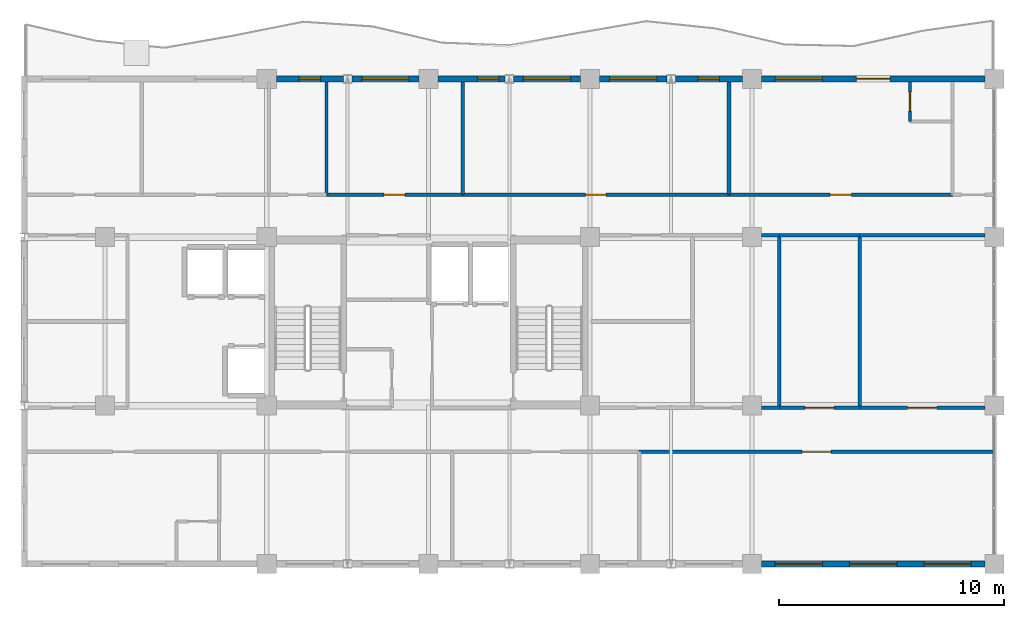
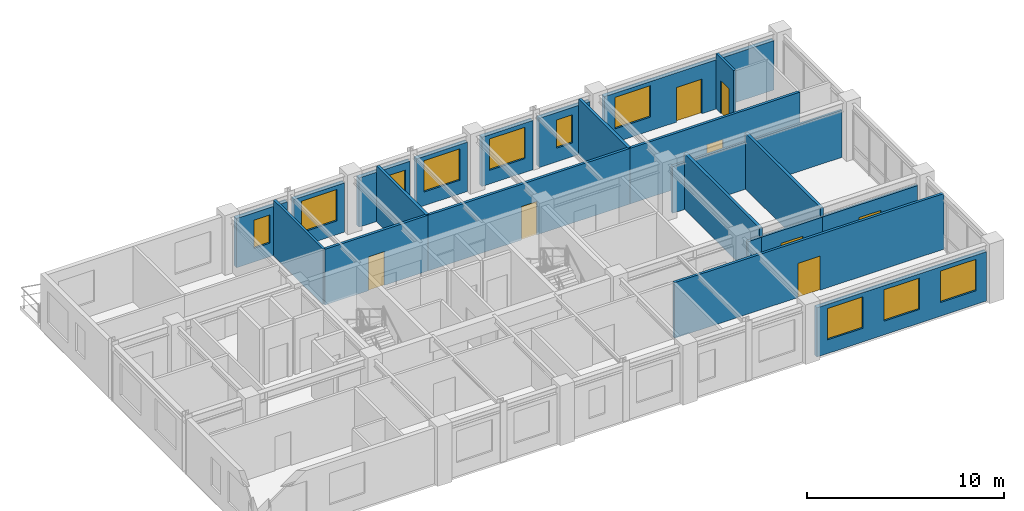
# One storey, part 8 of 11: 24 walls, 10 windows, 8 doors, 18 openings.
"""IFC4 building model written with IfcOpenShell, lengths in metres."""

from ifc_helpers import new_model, si_unit, direction, frame, frame_2d, origin, place, context, subcontext, project, spatial, rectangle, extrude, material, layer, layer_set, type_object, element, fill, save


model = new_model("IFC4")

# Units and contexts
model_context = context("Model", 3, precision=1e-05, world=origin(), true_north=direction((0.0, 1.0)))
body_context = subcontext(model_context, "Body", "Model", "MODEL_VIEW")
ifc_project = project(units=[si_unit("LENGTHUNIT", "METRE"), si_unit("AREAUNIT", "SQUARE_METRE"), si_unit("VOLUMEUNIT", "CUBIC_METRE"), si_unit("PLANEANGLEUNIT", "RADIAN"), si_unit("MASSUNIT", "GRAM", prefix="KILO")], contexts=[model_context])

# Site, building, storey
site_placement = place(None, origin())
site = spatial("IfcSite", under=ifc_project, at=site_placement, CompositionType="ELEMENT")
building_placement = place(site_placement, origin())
building = spatial("IfcBuilding", under=site, at=building_placement, Name="Kaliganga Portal Commons", CompositionType="ELEMENT")
storey_placement = place(building_placement, frame((0.0, 0.0, 253.60009765625)))
storey = spatial("IfcBuildingStorey", under=building, at=storey_placement, Name="L65", CompositionType="ELEMENT", Elevation=253.60009765625)

# Wall, openings, windows
ifc_material_1 = material(Name="Insulated Aluminium-Clad Spandrel Assembly", Category="aluminium")
ifc_layer_1 = layer(ifc_material_1, 0.260009765625)
ifc_layer_set_1 = layer_set([ifc_layer_1], Name="Insulated Aluminium-Clad Spandrel Assembly")
wall_type_1 = type_object("IfcWallType", Name="WL-EXT-SPAND-260", PredefinedType="STANDARD", material=ifc_layer_set_1)
wall_1_placement = place(storey_placement, frame((46.3740234375, 21.60009765625, 0.0), z_axis=(0.0, 0.0, 1.0), x_axis=(-1.0, 0.0, 0.0)))
wall_1 = element("IfcWall", 1, at=wall_1_placement, inside=storey, type_object=wall_type_1, Name="Exterior Envelope Wall L65 P1-E00-S8", PredefinedType="STANDARD", context=body_context, shape_type="SweptSolid", body=[
    extrude(rectangle(XDim=9.947998046875, YDim=0.260009765625, at=frame_2d((4.97412109375, 0.0))), origin(), (0.0, 0.0, 1.0), 3.054931640625),
])
opening_1_placement = place(wall_1_placement, frame((0.60791015625, 0.0, 0.85009765625)))
opening_1 = element("IfcOpeningElement", 2, at=opening_1_placement, cuts=wall_1, Name="Opening W-06", PredefinedType="OPENING", context=body_context, shape_type="SweptSolid", body=[
    extrude(rectangle(XDim=2.10009765625, YDim=1.949951171875, at=frame_2d((1.050048828125, 0.97509765625))), frame((0.0, 0.14013671875, 0.0), z_axis=(0.0, -1.0, 0.0), x_axis=(1.0, 0.0, 0.0)), (0.0, 0.0, 1.0), 0.280029296875),
])
opening_2_placement = place(wall_1_placement, frame((3.924072265625, 0.0, 0.85009765625)))
opening_2 = element("IfcOpeningElement", 3, at=opening_2_placement, cuts=wall_1, Name="Opening W-06", PredefinedType="OPENING", context=body_context, shape_type="SweptSolid", body=[
    extrude(rectangle(XDim=2.10009765625, YDim=1.949951171875, at=frame_2d((1.050048828125, 0.97509765625))), frame((0.0, 0.14013671875, 0.0), z_axis=(0.0, -1.0, 0.0), x_axis=(1.0, 0.0, 0.0)), (0.0, 0.0, 1.0), 0.280029296875),
])
opening_3_placement = place(wall_1_placement, frame((7.239990234375, 0.0, 0.85009765625)))
opening_3 = element("IfcOpeningElement", 4, at=opening_3_placement, cuts=wall_1, Name="Opening W-06", PredefinedType="OPENING", context=body_context, shape_type="SweptSolid", body=[
    extrude(rectangle(XDim=2.10009765625, YDim=1.949951171875, at=frame_2d((1.050048828125, 0.97509765625))), frame((0.0, 0.14013671875, 0.0), z_axis=(0.0, -1.0, 0.0), x_axis=(1.0, 0.0, 0.0)), (0.0, 0.0, 1.0), 0.280029296875),
])
ifc_material_2 = material(Name="Thermally Broken Aluminium and Low-E Double Glazing", Category="aluminium")
window_type_1 = type_object("IfcWindowType", Name="WIN-PAN-2100", PartitioningType="DOUBLE_PANEL_VERTICAL", PredefinedType="WINDOW", material=ifc_material_2)
window_1_placement = place(opening_1_placement, origin())
window_1 = element("IfcWindow", 5, at=window_1_placement, inside=storey, type_object=window_type_1, Name="Facade Window L65-P1E00S8-00", OverallHeight=1.949951171875, OverallWidth=2.10009765625, PartitioningType="SINGLE_PANEL", PredefinedType="WINDOW", context=body_context, shape_type="SweptSolid", body=[
    extrude(rectangle(XDim=2.10009765625, YDim=1.949951171875, at=frame_2d((1.050048828125, 0.97509765625))), frame((0.0, 0.030029296875, 0.0), z_axis=(0.0, -1.0, 0.0), x_axis=(1.0, 0.0, 0.0)), (0.0, 0.0, 1.0), 0.06005859375),
])
fill(opening_1, window_1)
window_2_placement = place(opening_2_placement, origin())
window_2 = element("IfcWindow", 6, at=window_2_placement, inside=storey, type_object=window_type_1, Name="Facade Window L65-P1E00S8-01", OverallHeight=1.949951171875, OverallWidth=2.10009765625, PartitioningType="SINGLE_PANEL", PredefinedType="WINDOW", context=body_context, shape_type="SweptSolid", body=[
    extrude(rectangle(XDim=2.10009765625, YDim=1.949951171875, at=frame_2d((1.050048828125, 0.97509765625))), frame((0.0, 0.030029296875, 0.0), z_axis=(0.0, -1.0, 0.0), x_axis=(1.0, 0.0, 0.0)), (0.0, 0.0, 1.0), 0.06005859375),
])
fill(opening_2, window_2)
window_3_placement = place(opening_3_placement, origin())
window_3 = element("IfcWindow", 7, at=window_3_placement, inside=storey, type_object=window_type_1, Name="Facade Window L65-P1E00S8-02", OverallHeight=1.949951171875, OverallWidth=2.10009765625, PartitioningType="SINGLE_PANEL", PredefinedType="WINDOW", context=body_context, shape_type="SweptSolid", body=[
    extrude(rectangle(XDim=2.10009765625, YDim=1.949951171875, at=frame_2d((1.050048828125, 0.97509765625))), frame((0.0, 0.030029296875, 0.0), z_axis=(0.0, -1.0, 0.0), x_axis=(1.0, 0.0, 0.0)), (0.0, 0.0, 1.0), 0.06005859375),
])
fill(opening_3, window_3)

# Wall, openings, door, window
wall_2_placement = place(storey_placement, frame((36.426025390625, 43.199951171875, 0.0), z_axis=(0.0, 0.0, 1.0), x_axis=(1.0, 0.0, 0.0)))
wall_2 = element("IfcWall", 8, at=wall_2_placement, inside=storey, type_object=wall_type_1, Name="Exterior Envelope Wall L65 P1-E02-S1", PredefinedType="STANDARD", context=body_context, shape_type="SweptSolid", body=[
    extrude(rectangle(XDim=9.947998046875, YDim=0.260009765625, at=frame_2d((4.97412109375, 0.0))), origin(), (0.0, 0.0, 1.0), 3.054931640625),
])
opening_4_placement = place(wall_2_placement, frame((4.22412109375, 0.0, 0.0)))
opening_4 = element("IfcOpeningElement", 9, at=opening_4_placement, cuts=wall_2, Name="Opening BD-01", PredefinedType="OPENING", context=body_context, shape_type="SweptSolid", body=[
    extrude(rectangle(XDim=1.5, YDim=2.14990234375, at=frame_2d((0.75, 1.074951171875))), frame((0.0, 0.14013671875, 0.0), z_axis=(0.0, -1.0, 0.0), x_axis=(1.0, 0.0, 0.0)), (0.0, 0.0, 1.0), 0.280029296875),
])
opening_5_placement = place(wall_2_placement, frame((0.60791015625, 0.0, 0.85009765625)))
opening_5 = element("IfcOpeningElement", 10, at=opening_5_placement, cuts=wall_2, Name="Opening W-06", PredefinedType="OPENING", context=body_context, shape_type="SweptSolid", body=[
    extrude(rectangle(XDim=2.10009765625, YDim=1.949951171875, at=frame_2d((1.050048828125, 0.97509765625))), frame((0.0, 0.14013671875, 0.0), z_axis=(0.0, -1.0, 0.0), x_axis=(1.0, 0.0, 0.0)), (0.0, 0.0, 1.0), 0.280029296875),
])
ifc_material_3 = material(Name="Anodized Aluminium and Laminated Safety Glass", Category="aluminium")
door_type_1 = type_object("IfcDoorType", Name="DR-BALC-1500", OperationType="SLIDING_TO_LEFT", PredefinedType="DOOR", material=ifc_material_3)
door_1_placement = place(opening_4_placement, origin())
door_1 = element("IfcDoor", 11, at=door_1_placement, inside=storey, type_object=door_type_1, Name="Balcony Sliding Door L65 balc_north", OperationType="SLIDING_TO_LEFT", OverallHeight=2.14990234375, OverallWidth=1.5, PredefinedType="DOOR", context=body_context, shape_type="SweptSolid", body=[
    extrude(rectangle(XDim=1.5, YDim=2.14990234375, at=frame_2d((0.75, 1.074951171875))), frame((0.0, 0.02490234375, 0.0), z_axis=(0.0, -1.0, 0.0), x_axis=(1.0, 0.0, 0.0)), (0.0, 0.0, 1.0), 0.050048828125),
])
fill(opening_4, door_1)
window_4_placement = place(opening_5_placement, origin())
window_4 = element("IfcWindow", 12, at=window_4_placement, inside=storey, type_object=window_type_1, Name="Facade Window L65-P1E02S1-00", OverallHeight=1.949951171875, OverallWidth=2.10009765625, PartitioningType="SINGLE_PANEL", PredefinedType="WINDOW", context=body_context, shape_type="SweptSolid", body=[
    extrude(rectangle(XDim=2.10009765625, YDim=1.949951171875, at=frame_2d((1.050048828125, 0.97509765625))), frame((0.0, 0.030029296875, 0.0), z_axis=(0.0, -1.0, 0.0), x_axis=(1.0, 0.0, 0.0)), (0.0, 0.0, 1.0), 0.06005859375),
])
fill(opening_5, window_4)

# Wall, opening, window
wall_3_placement = place(storey_placement, frame((32.587890625, 43.199951171875, 0.0), z_axis=(0.0, 0.0, 1.0), x_axis=(1.0, 0.0, 0.0)))
wall_3 = element("IfcWall", 13, at=wall_3_placement, inside=storey, type_object=wall_type_1, Name="Exterior Envelope Wall L65 P1-E02-S2", PredefinedType="STANDARD", context=body_context, shape_type="SweptSolid", body=[
    extrude(rectangle(XDim=2.986083984375, YDim=0.260009765625, at=frame_2d((1.4931640625, 0.0))), origin(), (0.0, 0.0, 1.0), 3.054931640625),
])
opening_6_placement = place(wall_3_placement, frame((1.01806640625, 0.0, 0.85009765625)))
opening_6 = element("IfcOpeningElement", 14, at=opening_6_placement, cuts=wall_3, Name="Opening W-04", PredefinedType="OPENING", context=body_context, shape_type="SweptSolid", body=[
    extrude(rectangle(XDim=0.949951171875, YDim=1.75, at=frame_2d((0.47509765625, 0.875))), frame((0.0, 0.14013671875, 0.0), z_axis=(0.0, -1.0, 0.0), x_axis=(1.0, 0.0, 0.0)), (0.0, 0.0, 1.0), 0.280029296875),
])
window_type_2 = type_object("IfcWindowType", Name="WIN-NARROW-950", PartitioningType="SINGLE_PANEL", PredefinedType="WINDOW", material=ifc_material_2)
window_5_placement = place(opening_6_placement, origin())
window_5 = element("IfcWindow", 15, at=window_5_placement, inside=storey, type_object=window_type_2, Name="Facade Window L65-P1E02S2-N0", OverallHeight=1.75, OverallWidth=0.949951171875, PartitioningType="SINGLE_PANEL", PredefinedType="WINDOW", context=body_context, shape_type="SweptSolid", body=[
    extrude(rectangle(XDim=0.949951171875, YDim=1.75, at=frame_2d((0.47509765625, 0.875))), frame((0.0, 0.030029296875, 0.0), z_axis=(0.0, -1.0, 0.0), x_axis=(1.0, 0.0, 0.0)), (0.0, 0.0, 1.0), 0.06005859375),
])
fill(opening_6, window_5)

wall_4_placement = place(storey_placement, frame((29.22607421875, 43.199951171875, 0.0), z_axis=(0.0, 0.0, 1.0), x_axis=(1.0, 0.0, 0.0)))
wall_4 = element("IfcWall", 16, at=wall_4_placement, inside=storey, type_object=wall_type_1, Name="Exterior Envelope Wall L65 P1-E02-S3", PredefinedType="STANDARD", context=body_context, shape_type="SweptSolid", body=[
    extrude(rectangle(XDim=2.98583984375, YDim=0.260009765625, at=frame_2d((1.492919921875, 0.0))), origin(), (0.0, 0.0, 1.0), 3.054931640625),
])
opening_7_placement = place(wall_4_placement, frame((0.443115234375, 0.0, 0.85009765625)))
opening_7 = element("IfcOpeningElement", 17, at=opening_7_placement, cuts=wall_4, Name="Opening W-06", PredefinedType="OPENING", context=body_context, shape_type="SweptSolid", body=[
    extrude(rectangle(XDim=2.10009765625, YDim=1.949951171875, at=frame_2d((1.050048828125, 0.97509765625))), frame((0.0, 0.14013671875, 0.0), z_axis=(0.0, -1.0, 0.0), x_axis=(1.0, 0.0, 0.0)), (0.0, 0.0, 1.0), 0.280029296875),
])
window_6_placement = place(opening_7_placement, origin())
window_6 = element("IfcWindow", 18, at=window_6_placement, inside=storey, type_object=window_type_1, Name="Facade Window L65-P1E02S3-00", OverallHeight=1.949951171875, OverallWidth=2.10009765625, PartitioningType="SINGLE_PANEL", PredefinedType="WINDOW", context=body_context, shape_type="SweptSolid", body=[
    extrude(rectangle(XDim=2.10009765625, YDim=1.949951171875, at=frame_2d((1.050048828125, 0.97509765625))), frame((0.0, 0.030029296875, 0.0), z_axis=(0.0, -1.0, 0.0), x_axis=(1.0, 0.0, 0.0)), (0.0, 0.0, 1.0), 0.06005859375),
])
fill(opening_7, window_6)

wall_5_placement = place(storey_placement, frame((25.387939453125, 43.199951171875, 0.0), z_axis=(0.0, 0.0, 1.0), x_axis=(1.0, 0.0, 0.0)))
wall_5 = element("IfcWall", 19, at=wall_5_placement, inside=storey, type_object=wall_type_1, Name="Exterior Envelope Wall L65 P1-E02-S4", PredefinedType="STANDARD", context=body_context, shape_type="SweptSolid", body=[
    extrude(rectangle(XDim=2.986083984375, YDim=0.260009765625, at=frame_2d((1.4931640625, 0.0))), origin(), (0.0, 0.0, 1.0), 3.054931640625),
])
opening_8_placement = place(wall_5_placement, frame((0.443115234375, 0.0, 0.85009765625)))
opening_8 = element("IfcOpeningElement", 20, at=opening_8_placement, cuts=wall_5, Name="Opening W-06", PredefinedType="OPENING", context=body_context, shape_type="SweptSolid", body=[
    extrude(rectangle(XDim=2.10009765625, YDim=1.949951171875, at=frame_2d((1.050048828125, 0.97509765625))), frame((0.0, 0.14013671875, 0.0), z_axis=(0.0, -1.0, 0.0), x_axis=(1.0, 0.0, 0.0)), (0.0, 0.0, 1.0), 0.280029296875),
])
window_7_placement = place(opening_8_placement, origin())
window_7 = element("IfcWindow", 21, at=window_7_placement, inside=storey, type_object=window_type_1, Name="Facade Window L65-P1E02S4-00", OverallHeight=1.949951171875, OverallWidth=2.10009765625, PartitioningType="SINGLE_PANEL", PredefinedType="WINDOW", context=body_context, shape_type="SweptSolid", body=[
    extrude(rectangle(XDim=2.10009765625, YDim=1.949951171875, at=frame_2d((1.050048828125, 0.97509765625))), frame((0.0, 0.030029296875, 0.0), z_axis=(0.0, -1.0, 0.0), x_axis=(1.0, 0.0, 0.0)), (0.0, 0.0, 1.0), 0.06005859375),
])
fill(opening_8, window_7)

wall_6_placement = place(storey_placement, frame((22.02587890625, 43.199951171875, 0.0), z_axis=(0.0, 0.0, 1.0), x_axis=(1.0, 0.0, 0.0)))
wall_6 = element("IfcWall", 22, at=wall_6_placement, inside=storey, type_object=wall_type_1, Name="Exterior Envelope Wall L65 P1-E02-S5", PredefinedType="STANDARD", context=body_context, shape_type="SweptSolid", body=[
    extrude(rectangle(XDim=2.986083984375, YDim=0.260009765625, at=frame_2d((1.4931640625, 0.0))), origin(), (0.0, 0.0, 1.0), 3.054931640625),
])
opening_9_placement = place(wall_6_placement, frame((1.758544921875, 0.0, 0.85009765625)))
opening_9 = element("IfcOpeningElement", 23, at=opening_9_placement, cuts=wall_6, Name="Opening W-04", PredefinedType="OPENING", context=body_context, shape_type="SweptSolid", body=[
    extrude(rectangle(XDim=0.949951171875, YDim=1.75, at=frame_2d((0.47509765625, 0.875))), frame((0.0, 0.14013671875, 0.0), z_axis=(0.0, -1.0, 0.0), x_axis=(1.0, 0.0, 0.0)), (0.0, 0.0, 1.0), 0.280029296875),
])
window_8_placement = place(opening_9_placement, origin())
window_8 = element("IfcWindow", 24, at=window_8_placement, inside=storey, type_object=window_type_2, Name="Facade Window L65-P1E02S5-N2", OverallHeight=1.75, OverallWidth=0.949951171875, PartitioningType="SINGLE_PANEL", PredefinedType="WINDOW", context=body_context, shape_type="SweptSolid", body=[
    extrude(rectangle(XDim=0.949951171875, YDim=1.75, at=frame_2d((0.47509765625, 0.875))), frame((0.0, 0.030029296875, 0.0), z_axis=(0.0, -1.0, 0.0), x_axis=(1.0, 0.0, 0.0)), (0.0, 0.0, 1.0), 0.06005859375),
])
fill(opening_9, window_8)

wall_7_placement = place(storey_placement, frame((18.18798828125, 43.199951171875, 0.0), z_axis=(0.0, 0.0, 1.0), x_axis=(1.0, 0.0, 0.0)))
wall_7 = element("IfcWall", 25, at=wall_7_placement, inside=storey, type_object=wall_type_1, Name="Exterior Envelope Wall L65 P1-E02-S6", PredefinedType="STANDARD", context=body_context, shape_type="SweptSolid", body=[
    extrude(rectangle(XDim=2.986083984375, YDim=0.260009765625, at=frame_2d((1.4931640625, 0.0))), origin(), (0.0, 0.0, 1.0), 3.054931640625),
])
opening_10_placement = place(wall_7_placement, frame((0.443115234375, 0.0, 0.85009765625)))
opening_10 = element("IfcOpeningElement", 26, at=opening_10_placement, cuts=wall_7, Name="Opening W-06", PredefinedType="OPENING", context=body_context, shape_type="SweptSolid", body=[
    extrude(rectangle(XDim=2.10009765625, YDim=1.949951171875, at=frame_2d((1.050048828125, 0.97509765625))), frame((0.0, 0.14013671875, 0.0), z_axis=(0.0, -1.0, 0.0), x_axis=(1.0, 0.0, 0.0)), (0.0, 0.0, 1.0), 0.280029296875),
])
window_9_placement = place(opening_10_placement, origin())
window_9 = element("IfcWindow", 27, at=window_9_placement, inside=storey, type_object=window_type_1, Name="Facade Window L65-P1E02S6-00", OverallHeight=1.949951171875, OverallWidth=2.10009765625, PartitioningType="SINGLE_PANEL", PredefinedType="WINDOW", context=body_context, shape_type="SweptSolid", body=[
    extrude(rectangle(XDim=2.10009765625, YDim=1.949951171875, at=frame_2d((1.050048828125, 0.97509765625))), frame((0.0, 0.030029296875, 0.0), z_axis=(0.0, -1.0, 0.0), x_axis=(1.0, 0.0, 0.0)), (0.0, 0.0, 1.0), 0.06005859375),
])
fill(opening_10, window_9)

wall_8_placement = place(storey_placement, frame((14.825927734375, 43.199951171875, 0.0), z_axis=(0.0, 0.0, 1.0), x_axis=(1.0, 0.0, 0.0)))
wall_8 = element("IfcWall", 28, at=wall_8_placement, inside=storey, type_object=wall_type_1, Name="Exterior Envelope Wall L65 P1-E02-S7", PredefinedType="STANDARD", context=body_context, shape_type="SweptSolid", body=[
    extrude(rectangle(XDim=2.986083984375, YDim=0.260009765625, at=frame_2d((1.4931640625, 0.0))), origin(), (0.0, 0.0, 1.0), 3.054931640625),
])
opening_11_placement = place(wall_8_placement, frame((1.01806640625, 0.0, 0.85009765625)))
opening_11 = element("IfcOpeningElement", 29, at=opening_11_placement, cuts=wall_8, Name="Opening W-04", PredefinedType="OPENING", context=body_context, shape_type="SweptSolid", body=[
    extrude(rectangle(XDim=0.949951171875, YDim=1.75, at=frame_2d((0.47509765625, 0.875))), frame((0.0, 0.14013671875, 0.0), z_axis=(0.0, -1.0, 0.0), x_axis=(1.0, 0.0, 0.0)), (0.0, 0.0, 1.0), 0.280029296875),
])
window_10_placement = place(opening_11_placement, origin())
window_10 = element("IfcWindow", 30, at=window_10_placement, inside=storey, type_object=window_type_2, Name="Facade Window L65-P1E02S7-N0", OverallHeight=1.75, OverallWidth=0.949951171875, PartitioningType="SINGLE_PANEL", PredefinedType="WINDOW", context=body_context, shape_type="SweptSolid", body=[
    extrude(rectangle(XDim=0.949951171875, YDim=1.75, at=frame_2d((0.47509765625, 0.875))), frame((0.0, 0.030029296875, 0.0), z_axis=(0.0, -1.0, 0.0), x_axis=(1.0, 0.0, 0.0)), (0.0, 0.0, 1.0), 0.06005859375),
])
fill(opening_11, window_10)

# Wall, opening, door
ifc_material_4 = material(Name="Fire-Rated Gypsum Board on Steel Stud", Category="steel")
ifc_layer_2 = layer(ifc_material_4, 0.14990234375)
ifc_layer_set_2 = layer_set([ifc_layer_2], Name="Fire-Rated Gypsum Board on Steel Stud")
wall_type_2 = type_object("IfcWallType", Name="WL-PART-CORR-150", PredefinedType="PARTITIONING", material=ifc_layer_set_2)
wall_9_placement = place(storey_placement, frame((30.97998046875, 26.60009765625, 0.0), z_axis=(0.0, 0.0, 1.0), x_axis=(1.0, 0.0, 0.0)))
wall_9 = element("IfcWall", 31, at=wall_9_placement, inside=storey, type_object=wall_type_2, Name="Interior Partition L65-007", PredefinedType="PARTITIONING", context=body_context, shape_type="SweptSolid", body=[
    extrude(rectangle(XDim=15.800048828125, YDim=0.14990234375, at=frame_2d((7.89990234375, 0.0))), origin(), (0.0, 0.0, 1.0), 3.454833984375),
])
opening_12_placement = place(wall_9_placement, frame((7.25, 0.0, 0.0)))
opening_12 = element("IfcOpeningElement", 32, at=opening_12_placement, cuts=wall_9, Name="Opening RD-03", PredefinedType="OPENING", context=body_context, shape_type="SweptSolid", body=[
    extrude(rectangle(XDim=1.300048828125, YDim=2.1201171875, at=frame_2d((0.64990234375, 1.06005859375))), frame((0.0, 0.0849609375, 0.0), z_axis=(0.0, -1.0, 0.0), x_axis=(1.0, 0.0, 0.0)), (0.0, 0.0, 1.0), 0.169921875),
])
ifc_material_5 = material(Name="Glazed Timber Seminar Vision Door", Category="wood")
door_type_2 = type_object("IfcDoorType", Name="DR-STUDY-1300", OperationType="DOUBLE_DOOR_SINGLE_SWING", PredefinedType="DOOR", material=ifc_material_5)
door_2_placement = place(opening_12_placement, origin())
door_2 = element("IfcDoor", 33, at=door_2_placement, inside=storey, type_object=door_type_2, Name="Interior Door L65-AS04", OperationType="DOUBLE_DOOR_SINGLE_SWING", OverallHeight=2.1201171875, OverallWidth=1.300048828125, PredefinedType="DOOR", context=body_context, shape_type="SweptSolid", body=[
    extrude(rectangle(XDim=1.300048828125, YDim=2.1201171875, at=frame_2d((0.64990234375, 1.06005859375))), frame((0.0, 0.02490234375, 0.0), z_axis=(0.0, -1.0, 0.0), x_axis=(1.0, 0.0, 0.0)), (0.0, 0.0, 1.0), 0.050048828125),
])
fill(opening_12, door_2)

wall_10_placement = place(storey_placement, frame((23.1201171875, 38.0400390625, 0.0), z_axis=(0.0, 0.0, 1.0), x_axis=(1.0, 0.0, 0.0)))
wall_10 = element("IfcWall", 34, at=wall_10_placement, inside=storey, type_object=wall_type_2, Name="Interior Partition L65-008", PredefinedType="PARTITIONING", context=body_context, shape_type="SweptSolid", body=[
    extrude(rectangle(XDim=11.85986328125, YDim=0.14990234375, at=frame_2d((5.929931640625, 0.0))), origin(), (0.0, 0.0, 1.0), 3.454833984375),
])
opening_13_placement = place(wall_10_placement, frame((5.47998046875, 0.0, 0.0)))
opening_13 = element("IfcOpeningElement", 35, at=opening_13_placement, cuts=wall_10, Name="Opening RD-01", PredefinedType="OPENING", context=body_context, shape_type="SweptSolid", body=[
    extrude(rectangle(XDim=0.89990234375, YDim=2.080078125, at=frame_2d((0.449951171875, 1.0400390625))), frame((0.0, 0.0849609375, 0.0), z_axis=(0.0, -1.0, 0.0), x_axis=(1.0, 0.0, 0.0)), (0.0, 0.0, 1.0), 0.169921875),
])
ifc_material_6 = material(Name="Engineered Timber Flush Door", Category="wood")
door_type_3 = type_object("IfcDoorType", Name="DR-ROOM-900", OperationType="NOTDEFINED", PredefinedType="DOOR", material=ifc_material_6)
door_3_placement = place(opening_13_placement, origin())
door_3 = element("IfcDoor", 36, at=door_3_placement, inside=storey, type_object=door_type_3, Name="Interior Door L65-AN05", OperationType="SINGLE_SWING_LEFT", OverallHeight=2.080078125, OverallWidth=0.89990234375, PredefinedType="DOOR", context=body_context, shape_type="SweptSolid", body=[
    extrude(rectangle(XDim=0.89990234375, YDim=2.080078125, at=frame_2d((0.449951171875, 1.0400390625))), frame((0.0, 0.02490234375, 0.0), z_axis=(0.0, -1.0, 0.0), x_axis=(1.0, 0.0, 0.0)), (0.0, 0.0, 1.0), 0.050048828125),
])
fill(opening_13, door_3)

wall_11_placement = place(storey_placement, frame((34.97998046875, 38.0400390625, 0.0), z_axis=(0.0, 0.0, 1.0), x_axis=(1.0, 0.0, 0.0)))
wall_11 = element("IfcWall", 37, at=wall_11_placement, inside=storey, type_object=wall_type_2, Name="Interior Partition L65-010", PredefinedType="PARTITIONING", context=body_context, shape_type="SweptSolid", body=[
    extrude(rectangle(XDim=9.9599609375, YDim=0.14990234375, at=frame_2d((4.97998046875, 0.0))), origin(), (0.0, 0.0, 1.0), 3.454833984375),
])
opening_14_placement = place(wall_11_placement, frame((4.5048828125, 0.0, 0.0)))
opening_14 = element("IfcOpeningElement", 38, at=opening_14_placement, cuts=wall_11, Name="Opening UD-01", PredefinedType="OPENING", context=body_context, shape_type="SweptSolid", body=[
    extrude(rectangle(XDim=0.949951171875, YDim=2.10009765625, at=frame_2d((0.47509765625, 1.050048828125))), frame((0.0, 0.0849609375, 0.0), z_axis=(0.0, -1.0, 0.0), x_axis=(1.0, 0.0, 0.0)), (0.0, 0.0, 1.0), 0.169921875),
])
ifc_material_7 = material(Name="Solid-Core Timber Acoustic Fire Door", Category="wood")
door_type_4 = type_object("IfcDoorType", Name="DR-UNIT-950", OperationType="NOTDEFINED", PredefinedType="DOOR", material=ifc_material_7)
door_4_placement = place(opening_14_placement, origin())
door_4 = element("IfcDoor", 39, at=door_4_placement, inside=storey, type_object=door_type_4, Name="Interior Door L65-AN06", OperationType="SINGLE_SWING_LEFT", OverallHeight=2.10009765625, OverallWidth=0.949951171875, PredefinedType="DOOR", context=body_context, shape_type="SweptSolid", body=[
    extrude(rectangle(XDim=0.949951171875, YDim=2.10009765625, at=frame_2d((0.47509765625, 1.050048828125))), frame((0.0, 0.02490234375, 0.0), z_axis=(0.0, -1.0, 0.0), x_axis=(1.0, 0.0, 0.0)), (0.0, 0.0, 1.0), 0.050048828125),
])
fill(opening_14, door_4)

wall_12_placement = place(storey_placement, frame((17.06005859375, 38.0400390625, 0.0), z_axis=(0.0, 0.0, 1.0), x_axis=(1.0, 0.0, 0.0)))
wall_12 = element("IfcWall", 40, at=wall_12_placement, inside=storey, type_object=wall_type_2, Name="Interior Partition L65-013", PredefinedType="PARTITIONING", context=body_context, shape_type="SweptSolid", body=[
    extrude(rectangle(XDim=6.06005859375, YDim=0.14990234375, at=frame_2d((3.030029296875, 0.0))), origin(), (0.0, 0.0, 1.0), 3.454833984375),
])
opening_15_placement = place(wall_12_placement, frame((2.554931640625, 0.0, 0.0)))
opening_15 = element("IfcOpeningElement", 41, at=opening_15_placement, cuts=wall_12, Name="Opening UD-01", PredefinedType="OPENING", context=body_context, shape_type="SweptSolid", body=[
    extrude(rectangle(XDim=0.949951171875, YDim=2.10009765625, at=frame_2d((0.47509765625, 1.050048828125))), frame((0.0, 0.0849609375, 0.0), z_axis=(0.0, -1.0, 0.0), x_axis=(1.0, 0.0, 0.0)), (0.0, 0.0, 1.0), 0.169921875),
])
door_5_placement = place(opening_15_placement, origin())
door_5 = element("IfcDoor", 42, at=door_5_placement, inside=storey, type_object=door_type_4, Name="Interior Door L65-AN04", OperationType="SINGLE_SWING_RIGHT", OverallHeight=2.10009765625, OverallWidth=0.949951171875, PredefinedType="DOOR", context=body_context, shape_type="SweptSolid", body=[
    extrude(rectangle(XDim=0.949951171875, YDim=2.10009765625, at=frame_2d((0.47509765625, 1.050048828125))), frame((0.0, 0.02490234375, 0.0), z_axis=(0.0, -1.0, 0.0), x_axis=(1.0, 0.0, 0.0)), (0.0, 0.0, 1.0), 0.050048828125),
])
fill(opening_15, door_5)

wall_13_placement = place(storey_placement, frame((40.800048828125, 28.56005859375, 0.0), z_axis=(0.0, 0.0, 1.0), x_axis=(1.0, 0.0, 0.0)))
wall_13 = element("IfcWall", 43, at=wall_13_placement, inside=storey, type_object=wall_type_2, Name="Interior Partition L65-014", PredefinedType="PARTITIONING", context=body_context, shape_type="SweptSolid", body=[
    extrude(rectangle(XDim=5.574951171875, YDim=0.14990234375, at=frame_2d((2.78759765625, 0.0))), origin(), (0.0, 0.0, 1.0), 2.90478515625),
])
opening_16_placement = place(wall_13_placement, frame((2.137451171875, 0.0, 0.0)))
opening_16 = element("IfcOpeningElement", 44, at=opening_16_placement, cuts=wall_13, Name="Opening RD-03", PredefinedType="OPENING", context=body_context, shape_type="SweptSolid", body=[
    extrude(rectangle(XDim=1.300048828125, YDim=2.1201171875, at=frame_2d((0.64990234375, 1.06005859375))), frame((0.0, 0.0849609375, 0.0), z_axis=(0.0, -1.0, 0.0), x_axis=(1.0, 0.0, 0.0)), (0.0, 0.0, 1.0), 0.169921875),
])
door_6_placement = place(opening_16_placement, origin())
door_6 = element("IfcDoor", 45, at=door_6_placement, inside=storey, type_object=door_type_2, Name="Interior Door L65-AE03", OperationType="DOUBLE_DOOR_SINGLE_SWING", OverallHeight=2.1201171875, OverallWidth=1.300048828125, PredefinedType="DOOR", context=body_context, shape_type="SweptSolid", body=[
    extrude(rectangle(XDim=1.300048828125, YDim=2.1201171875, at=frame_2d((0.64990234375, 1.06005859375))), frame((0.0, 0.02490234375, 0.0), z_axis=(0.0, -1.0, 0.0), x_axis=(1.0, 0.0, 0.0)), (0.0, 0.0, 1.0), 0.050048828125),
])
fill(opening_16, door_6)

# Walls
wall_14_placement = place(storey_placement, frame((40.800048828125, 36.239990234375, 0.0), z_axis=(0.0, 0.0, 1.0), x_axis=(1.0, 0.0, 0.0)))
element("IfcWall", 46, at=wall_14_placement, inside=storey, type_object=wall_type_2, Name="Interior Partition L65-015", PredefinedType="PARTITIONING", context=body_context, shape_type="SweptSolid", body=[
    extrude(rectangle(XDim=5.574951171875, YDim=0.14990234375, at=frame_2d((2.78759765625, 0.0))), origin(), (0.0, 0.0, 1.0), 2.90478515625),
])
for number, where, z_axis, x_axis, name in (
    (47, (36.425048828125, 28.56005859375, 0.0), (0.0, 0.0, 1.0), (1.0, 0.0, 0.0), "Interior Partition L65-025"),
    (48, (36.425048828125, 36.239990234375, 0.0), (0.0, 0.0, 1.0), (1.0, 0.0, 0.0), "Interior Partition L65-027"),
):
    element("IfcWall", number, at=place(storey_placement, frame(where, z_axis=z_axis, x_axis=x_axis)), inside=storey, type_object=wall_type_2, Name=name, PredefinedType="PARTITIONING", context=body_context, shape_type="SweptSolid", body=[
        extrude(rectangle(XDim=0.794921875, YDim=0.14990234375, at=frame_2d((0.3974609375, 0.0))), origin(), (0.0, 0.0, 1.0), 2.90478515625),
    ])

# Wall, opening, door
wall_15_placement = place(storey_placement, frame((37.219970703125, 28.56005859375, 0.0), z_axis=(0.0, 0.0, 1.0), x_axis=(1.0, 0.0, 0.0)))
wall_15 = element("IfcWall", 49, at=wall_15_placement, inside=storey, type_object=wall_type_2, Name="Interior Partition L65-031", PredefinedType="PARTITIONING", context=body_context, shape_type="SweptSolid", body=[
    extrude(rectangle(XDim=3.580078125, YDim=0.14990234375, at=frame_2d((1.7900390625, 0.0))), origin(), (0.0, 0.0, 1.0), 2.90478515625),
])
opening_17_placement = place(wall_15_placement, frame((1.139892578125, 0.0, 0.0)))
opening_17 = element("IfcOpeningElement", 50, at=opening_17_placement, cuts=wall_15, Name="Opening RD-03", PredefinedType="OPENING", context=body_context, shape_type="SweptSolid", body=[
    extrude(rectangle(XDim=1.300048828125, YDim=2.1201171875, at=frame_2d((0.64990234375, 1.06005859375))), frame((0.0, 0.0849609375, 0.0), z_axis=(0.0, -1.0, 0.0), x_axis=(1.0, 0.0, 0.0)), (0.0, 0.0, 1.0), 0.169921875),
])
door_7_placement = place(opening_17_placement, origin())
door_7 = element("IfcDoor", 51, at=door_7_placement, inside=storey, type_object=door_type_2, Name="Interior Door L65-AE02", OperationType="DOUBLE_DOOR_SINGLE_SWING", OverallHeight=2.1201171875, OverallWidth=1.300048828125, PredefinedType="DOOR", context=body_context, shape_type="SweptSolid", body=[
    extrude(rectangle(XDim=1.300048828125, YDim=2.1201171875, at=frame_2d((0.64990234375, 1.06005859375))), frame((0.0, 0.02490234375, 0.0), z_axis=(0.0, -1.0, 0.0), x_axis=(1.0, 0.0, 0.0)), (0.0, 0.0, 1.0), 0.050048828125),
])
fill(opening_17, door_7)

# Walls
wall_16_placement = place(storey_placement, frame((37.219970703125, 36.239990234375, 0.0), z_axis=(0.0, 0.0, 1.0), x_axis=(1.0, 0.0, 0.0)))
element("IfcWall", 52, at=wall_16_placement, inside=storey, type_object=wall_type_2, Name="Interior Partition L65-032", PredefinedType="PARTITIONING", context=body_context, shape_type="SweptSolid", body=[
    extrude(rectangle(XDim=3.580078125, YDim=0.14990234375, at=frame_2d((1.7900390625, 0.0))), origin(), (0.0, 0.0, 1.0), 2.90478515625),
])
ifc_material_8 = material(Name="Twin-Stud Acoustic Gypsum Partition", Category="gypsum")
ifc_layer_3 = layer(ifc_material_8, 0.1650390625)
ifc_layer_set_3 = layer_set([ifc_layer_3], Name="Twin-Stud Acoustic Gypsum Partition")
wall_type_3 = type_object("IfcWallType", Name="WL-PART-UNIT-165", PredefinedType="PARTITIONING", material=ifc_layer_set_3)
for number, where, z_axis, x_axis, name in (
    (53, (37.219970703125, 28.56005859375, 0.0), (0.0, 0.0, 1.0), (0.0, 1.0, 0.0), "Interior Partition L65-040"),
    (54, (40.800048828125, 28.56005859375, 0.0), (0.0, 0.0, 1.0), (0.0, 1.0, 0.0), "Interior Partition L65-041"),
):
    element("IfcWall", number, at=place(storey_placement, frame(where, z_axis=z_axis, x_axis=x_axis)), inside=storey, type_object=wall_type_3, Name=name, PredefinedType="PARTITIONING", context=body_context, shape_type="SweptSolid", body=[
        extrude(rectangle(XDim=7.679931640625, YDim=0.1650390625, at=frame_2d((3.83984375, 0.0))), origin(), (0.0, 0.0, 1.0), 3.454833984375),
    ])
for number, where, z_axis, x_axis, name in (
    (55, (23.1201171875, 38.0400390625, 0.0), (0.0, 0.0, 1.0), (0.0, 1.0, 0.0), "Interior Partition L65-045"),
    (56, (34.97998046875, 38.0400390625, 0.0), (0.0, 0.0, 1.0), (0.0, 1.0, 0.0), "Interior Partition L65-046"),
):
    element("IfcWall", number, at=place(storey_placement, frame(where, z_axis=z_axis, x_axis=x_axis)), inside=storey, type_object=wall_type_3, Name=name, PredefinedType="PARTITIONING", context=body_context, shape_type="SweptSolid", body=[
        extrude(rectangle(XDim=5.028076171875, YDim=0.1650390625, at=frame_2d((2.51416015625, 0.0))), origin(), (0.0, 0.0, 1.0), 3.454833984375),
    ])

# Wall, opening, door
ifc_material_9 = material(Name="Cement-Board Wet-Room Partition", Category="gypsum")
ifc_layer_4 = layer(ifc_material_9, 0.135009765625)
ifc_layer_set_4 = layer_set([ifc_layer_4], Name="Cement-Board Wet-Room Partition")
wall_type_4 = type_object("IfcWallType", Name="WL-PART-WET-135", PredefinedType="PARTITIONING", material=ifc_layer_set_4)
wall_17_placement = place(storey_placement, frame((43.0400390625, 41.300048828125, 0.0), z_axis=(0.0, 0.0, 1.0), x_axis=(0.0, 1.0, 0.0)))
wall_17 = element("IfcWall", 57, at=wall_17_placement, inside=storey, type_object=wall_type_4, Name="Interior Partition L65-001", PredefinedType="PARTITIONING", context=body_context, shape_type="SweptSolid", body=[
    extrude(rectangle(XDim=1.76806640625, YDim=0.135009765625, at=frame_2d((0.884033203125, 0.0))), origin(), (0.0, 0.0, 1.0), 3.454833984375),
])
opening_18_placement = place(wall_17_placement, frame((0.458984375, 0.0, 0.0)))
opening_18 = element("IfcOpeningElement", 58, at=opening_18_placement, cuts=wall_17, Name="Opening WD-01", PredefinedType="OPENING", context=body_context, shape_type="SweptSolid", body=[
    extrude(rectangle(XDim=0.85009765625, YDim=2.0400390625, at=frame_2d((0.425048828125, 1.02001953125))), frame((0.0, 0.07763671875, 0.0), z_axis=(0.0, -1.0, 0.0), x_axis=(1.0, 0.0, 0.0)), (0.0, 0.0, 1.0), 0.155029296875),
])
ifc_material_10 = material(Name="Moisture-Resistant Laminate Timber Door", Category="wood")
door_type_5 = type_object("IfcDoorType", Name="DR-WET-850", OperationType="NOTDEFINED", PredefinedType="DOOR", material=ifc_material_10)
door_8_placement = place(opening_18_placement, origin())
door_8 = element("IfcDoor", 59, at=door_8_placement, inside=storey, type_object=door_type_5, Name="Interior Door L65-AN06E", OperationType="SINGLE_SWING_RIGHT", OverallHeight=2.0400390625, OverallWidth=0.85009765625, PredefinedType="DOOR", context=body_context, shape_type="SweptSolid", body=[
    extrude(rectangle(XDim=0.85009765625, YDim=2.0400390625, at=frame_2d((0.425048828125, 1.02001953125))), frame((0.0, 0.02490234375, 0.0), z_axis=(0.0, -1.0, 0.0), x_axis=(1.0, 0.0, 0.0)), (0.0, 0.0, 1.0), 0.050048828125),
])
fill(opening_18, door_8)

# Wall
wall_18_placement = place(storey_placement, frame((17.06005859375, 38.0400390625, 0.0), z_axis=(0.0, 0.0, 1.0), x_axis=(0.0, 1.0, 0.0)))
element("IfcWall", 60, at=wall_18_placement, inside=storey, type_object=wall_type_4, Name="Interior Partition L65-044", PredefinedType="PARTITIONING", context=body_context, shape_type="SweptSolid", body=[
    extrude(rectangle(XDim=5.028076171875, YDim=0.135009765625, at=frame_2d((2.51416015625, 0.0))), origin(), (0.0, 0.0, 1.0), 3.454833984375),
])

save(model, "model.ifc")
